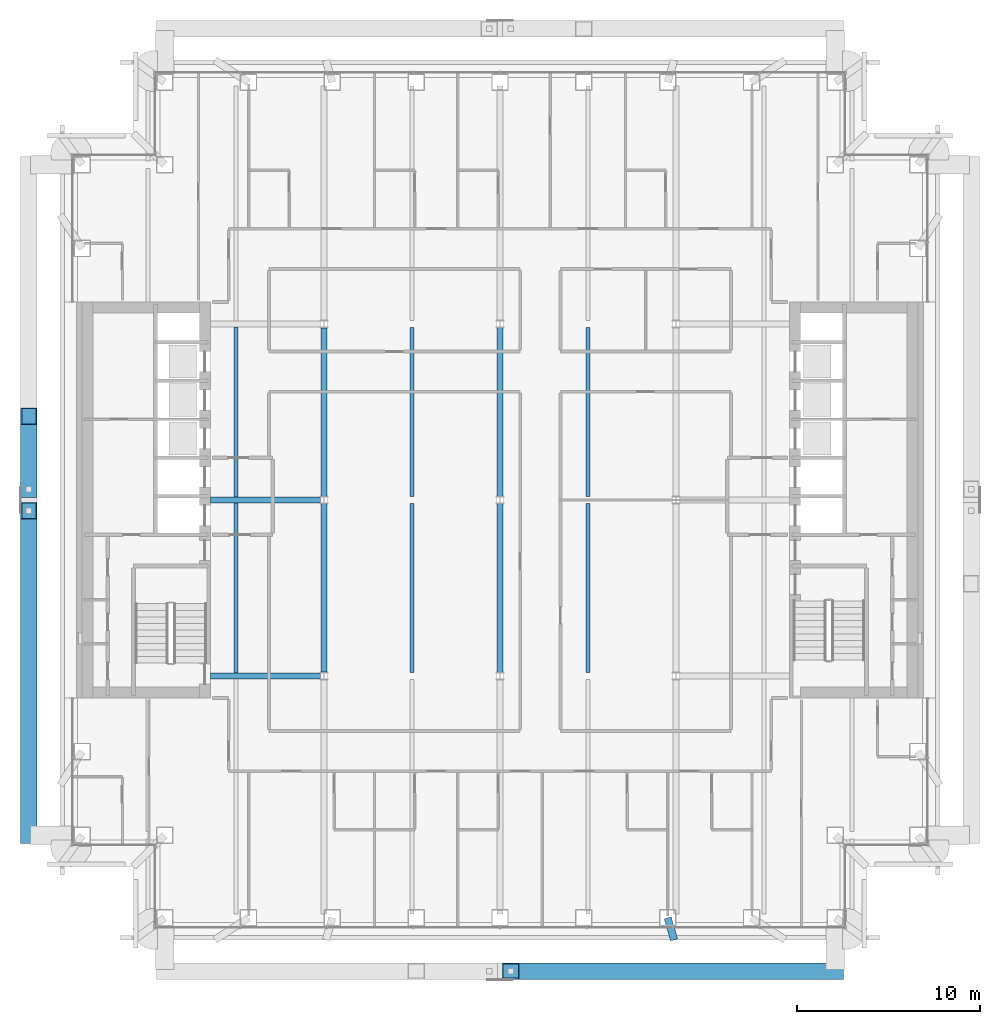
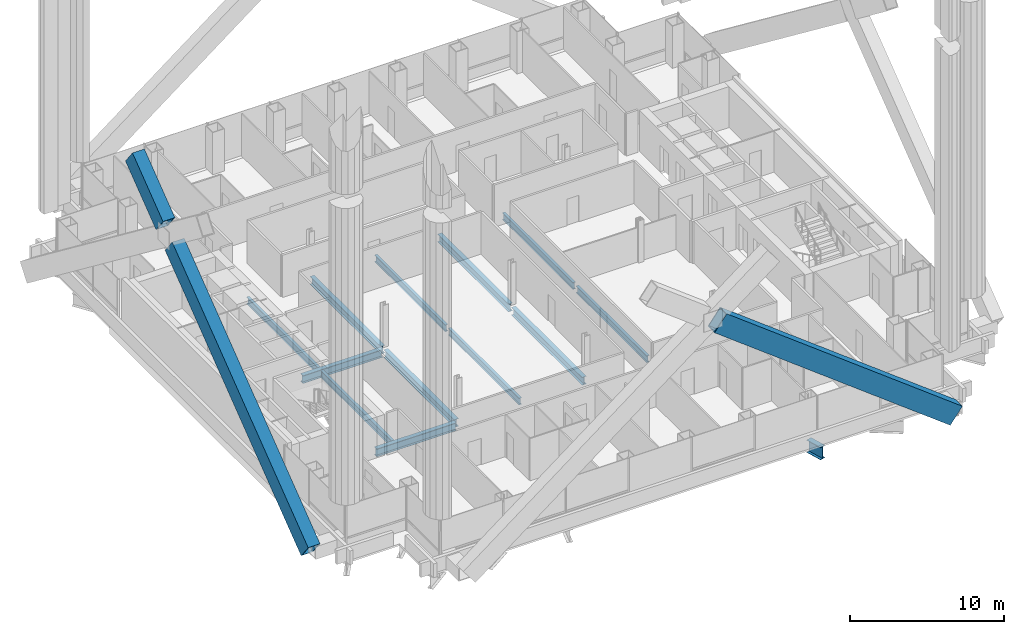
# One storey, part 4 of 22: 13 beams, 3 members.
"""IFC4 building model written with IfcOpenShell, lengths in metres."""

from ifc_helpers import new_model, si_unit, direction, frame, origin, origin_2d, place, context, subcontext, project, spatial, hollow_rectangle, i_section, extrude, material, material_profile, profile_set, type_object, element, save


model = new_model("IFC4")

# Units and contexts
model_context = context("Model", 3, precision=1e-05, world=origin(), true_north=direction((0.0, 1.0)))
body_context = subcontext(model_context, "Body", "Model", "MODEL_VIEW")
ifc_project = project(units=[si_unit("LENGTHUNIT", "METRE"), si_unit("AREAUNIT", "SQUARE_METRE"), si_unit("VOLUMEUNIT", "CUBIC_METRE"), si_unit("PLANEANGLEUNIT", "RADIAN"), si_unit("MASSUNIT", "GRAM", prefix="KILO")], contexts=[model_context])

# Site, building, storey
site_placement = place(None, origin())
site = spatial("IfcSite", under=ifc_project, at=site_placement, CompositionType="ELEMENT")
building_placement = place(site_placement, origin())
building = spatial("IfcBuilding", under=site, at=building_placement, Name="Cobrizo Arcos Hotel Tower", CompositionType="ELEMENT")
storey_placement = place(building_placement, frame((0.0, 0.0, 89.0)))
storey = spatial("IfcBuildingStorey", under=building, at=storey_placement, Name="L21", CompositionType="ELEMENT", Elevation=89.0)

# Members
ifc_material_1 = material(Name="Steel ASTM A572 Grade 50", Category="steel")
ifc_material_profile_1 = material_profile(ifc_material_1, hollow_rectangle(XDim=0.89990234375, YDim=1.5, WallThickness=0.06494140625, at=origin_2d()), Name="BOX 900X1500X65")
ifc_profile_set_1 = profile_set([ifc_material_profile_1], Name="Steel ASTM A572 Grade 50")
member_type = type_object("IfcMemberType", Name="BOX 900X1500X65 perimeter brace", PredefinedType="BRACE", material=ifc_profile_set_1)
for number, where, z_axis, x_axis, name in (
    (1, (18.300048828125, -25.699951171875, 0.5), (-0.79423534856, 0.0, 0.607610246044), (0.0, -1.0, 0.0), "Perimeter brace PBR2, zone Z2, south face, no. 01"),
    (2, (-25.699951171875, -18.300048828125, 0.5), (0.0, 0.79423534856, 0.607610246044), (-1.0, 0.0, 0.0), "Perimeter brace PBR2, zone Z2, west face, no. 01"),
):
    element("IfcMember", number, at=place(storey_placement, frame(where, z_axis=z_axis, x_axis=x_axis)), inside=storey, type_object=member_type, Name=name, PredefinedType="BRACE", context=body_context, shape_type="SweptSolid", body=[
        extrude(hollow_rectangle(XDim=0.89990234375, YDim=1.5, WallThickness=0.06494140625, at=origin_2d()), origin(), (0.0, 0.0, 1.0), 22.294189453125),
    ])
member_placement = place(storey_placement, frame((-25.699951171875, 0.59326171875, 14.953857421875), z_axis=(0.0, 0.794230645471, 0.607616393619), x_axis=(-1.0, 0.0, 0.0)))
element("IfcMember", 3, at=member_placement, inside=storey, type_object=member_type, Name="Perimeter brace PBR2, zone Z2, west face, no. 01b", PredefinedType="BRACE", context=body_context, shape_type="SweptSolid", body=[
    extrude(hollow_rectangle(XDim=0.89990234375, YDim=1.5, WallThickness=0.06494140625, at=origin_2d()), origin(), (0.0, 0.0, 1.0), 5.01318359375),
])

# Beams
ifc_material_2 = material(Name="Steel ASTM A992 Grade 50", Category="steel")
ifc_material_profile_2 = material_profile(ifc_material_2, i_section(OverallWidth=0.209228515625, OverallDepth=0.533447265625, WebThickness=0.01025390625, FlangeThickness=0.015625, at=origin_2d()), Name="W21X62")
ifc_profile_set_2 = profile_set([ifc_material_profile_2], Name="Steel ASTM A992 Grade 50")
beam_type_1 = type_object("IfcBeamType", Name="W21X62 joist", PredefinedType="JOIST", material=ifc_profile_set_2)
for number, where, z_axis, x_axis, name in (
    (4, (-14.39990234375, -9.43603515625, -0.416748046875), (0.0, 1.0, 0.0), (-1.0, 0.0, 0.0), "Floor joist J1, L21, no. 006"),
    (5, (-14.39990234375, 0.163818359375, -0.416748046875), (0.0, 1.0, 0.0), (-1.0, 0.0, 0.0), "Floor joist J1, L21, no. 007"),
):
    element("IfcBeam", number, at=place(storey_placement, frame(where, z_axis=z_axis, x_axis=x_axis)), inside=storey, type_object=beam_type_1, Name=name, PredefinedType="JOIST", context=body_context, shape_type="SweptSolid", body=[
        extrude(i_section(OverallWidth=0.209228515625, OverallDepth=0.533447265625, WebThickness=0.01025390625, FlangeThickness=0.015625, at=origin_2d()), origin(), (0.0, 0.0, 1.0), 9.272216796875),
    ])
for number, where, z_axis, x_axis, name in (
    (6, (-4.800048828125, -9.3994140625, -0.416748046875), (0.0, 1.0, 0.0), (-1.0, 0.0, 0.0), "Floor joist J1, L21, no. 010"),
    (7, (-4.800048828125, 0.200439453125, -0.416748046875), (0.0, 1.0, 0.0), (-1.0, 0.0, 0.0), "Floor joist J1, L21, no. 011"),
    (8, (4.800048828125, -9.3994140625, -0.416748046875), (0.0, 1.0, 0.0), (-1.0, 0.0, 0.0), "Floor joist J1, L21, no. 014"),
    (9, (4.800048828125, 0.200439453125, -0.416748046875), (0.0, 1.0, 0.0), (-1.0, 0.0, 0.0), "Floor joist J1, L21, no. 015"),
):
    element("IfcBeam", number, at=place(storey_placement, frame(where, z_axis=z_axis, x_axis=x_axis)), inside=storey, type_object=beam_type_1, Name=name, PredefinedType="JOIST", context=body_context, shape_type="SweptSolid", body=[
        extrude(i_section(OverallWidth=0.209228515625, OverallDepth=0.533447265625, WebThickness=0.01025390625, FlangeThickness=0.015625, at=origin_2d()), origin(), (0.0, 0.0, 1.0), 9.198974609375),
    ])
ifc_material_profile_3 = material_profile(ifc_material_2, i_section(OverallWidth=0.32763671875, OverallDepth=0.622314453125, WebThickness=0.015380859375, FlangeThickness=0.0244140625, at=origin_2d()), Name="W24X131")
ifc_profile_set_3 = profile_set([ifc_material_profile_3], Name="Steel ASTM A992 Grade 50")
beam_type_2 = type_object("IfcBeamType", Name="W24X131 girder", PredefinedType="BEAM", material=ifc_profile_set_3)
for number, where, z_axis, x_axis, name in (
    (10, (-15.7900390625, -9.60009765625, -0.461181640625), (1.0, 0.0, 0.0), (0.0, 1.0, 0.0), "Floor girder G1, L21, no. 001"),
    (11, (-15.7900390625, 0.0, -0.461181640625), (1.0, 0.0, 0.0), (0.0, 1.0, 0.0), "Floor girder G1, L21, no. 003"),
):
    element("IfcBeam", number, at=place(storey_placement, frame(where, z_axis=z_axis, x_axis=x_axis)), inside=storey, type_object=beam_type_2, Name=name, PredefinedType="BEAM", context=body_context, shape_type="SweptSolid", body=[
        extrude(i_section(OverallWidth=0.32763671875, OverallDepth=0.622314453125, WebThickness=0.015380859375, FlangeThickness=0.0244140625, at=origin_2d()), origin(), (0.0, 0.0, 1.0), 5.985595703125),
    ])
for number, where, z_axis, x_axis, name in (
    (12, (-9.60009765625, -9.3955078125, -0.461181640625), (0.0, 1.0, 0.0), (-1.0, 0.0, 0.0), "Floor girder G1, L21, no. 008"),
    (13, (-9.60009765625, 0.204345703125, -0.461181640625), (0.0, 1.0, 0.0), (-1.0, 0.0, 0.0), "Floor girder G1, L21, no. 009"),
):
    element("IfcBeam", number, at=place(storey_placement, frame(where, z_axis=z_axis, x_axis=x_axis)), inside=storey, type_object=beam_type_2, Name=name, PredefinedType="BEAM", context=body_context, shape_type="SweptSolid", body=[
        extrude(i_section(OverallWidth=0.32763671875, OverallDepth=0.622314453125, WebThickness=0.015380859375, FlangeThickness=0.0244140625, at=origin_2d()), origin(), (0.0, 0.0, 1.0), 9.191162109375),
    ])
for number, where, z_axis, x_axis, name in (
    (14, (0.0, -9.3994140625, -0.461181640625), (0.0, 1.0, 0.0), (-1.0, 0.0, 0.0), "Floor girder G1, L21, no. 012"),
    (15, (0.0, 0.200439453125, -0.461181640625), (0.0, 1.0, 0.0), (-1.0, 0.0, 0.0), "Floor girder G1, L21, no. 013"),
):
    element("IfcBeam", number, at=place(storey_placement, frame(where, z_axis=z_axis, x_axis=x_axis)), inside=storey, type_object=beam_type_2, Name=name, PredefinedType="BEAM", context=body_context, shape_type="SweptSolid", body=[
        extrude(i_section(OverallWidth=0.32763671875, OverallDepth=0.622314453125, WebThickness=0.015380859375, FlangeThickness=0.0244140625, at=origin_2d()), origin(), (0.0, 0.0, 1.0), 9.198974609375),
    ])
ifc_material_profile_4 = material_profile(ifc_material_2, i_section(OverallWidth=0.4013671875, OverallDepth=0.990478515625, WebThickness=0.0166015625, FlangeThickness=0.025390625, at=origin_2d()), Name="W40X215")
ifc_profile_set_4 = profile_set([ifc_material_profile_4], Name="Steel ASTM A992 Grade 50")
beam_type_3 = type_object("IfcBeamType", Name="W40X215 transfer girder", PredefinedType="BEAM", material=ifc_profile_set_4)
beam_placement = place(storey_placement, frame((9.5, -24.0, -0.645263671875), z_axis=(-0.280082500255, 0.959975933579, 0.0), x_axis=(-0.959975933579, -0.280082500255, 0.0)))
element("IfcBeam", 16, at=beam_placement, inside=storey, type_object=beam_type_3, Name="Setback transfer girder TG1, L21, no. 008", PredefinedType="BEAM", context=body_context, shape_type="SweptSolid", body=[
    extrude(i_section(OverallWidth=0.4013671875, OverallDepth=0.990478515625, WebThickness=0.0166015625, FlangeThickness=0.025390625, at=origin_2d()), origin(), (0.0, 0.0, 1.0), 1.25),
])

save(model, "model.ifc")
